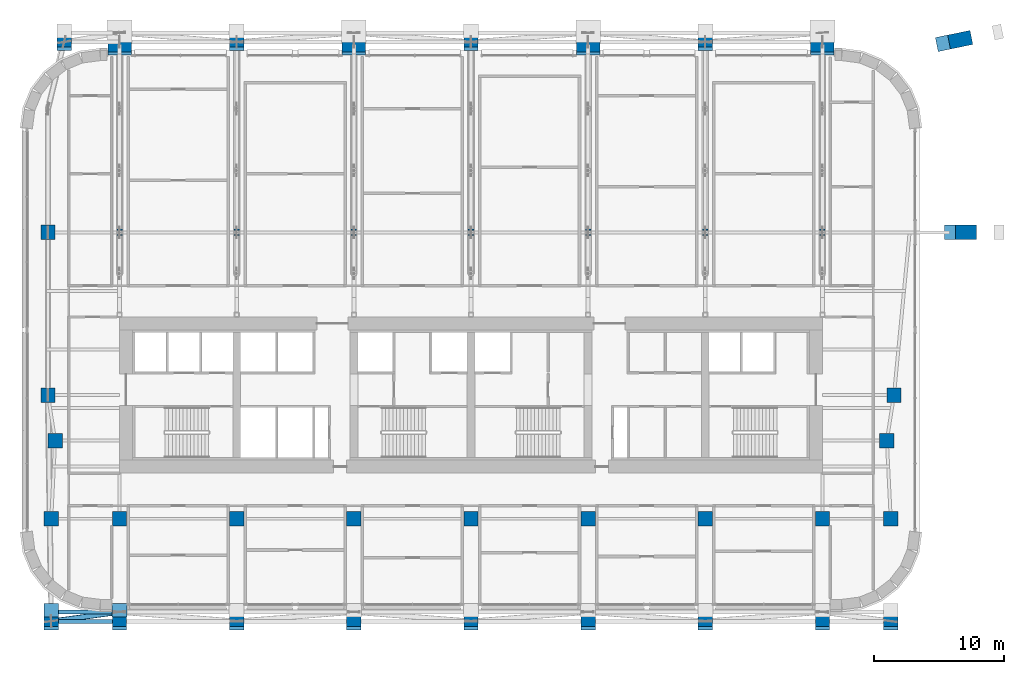
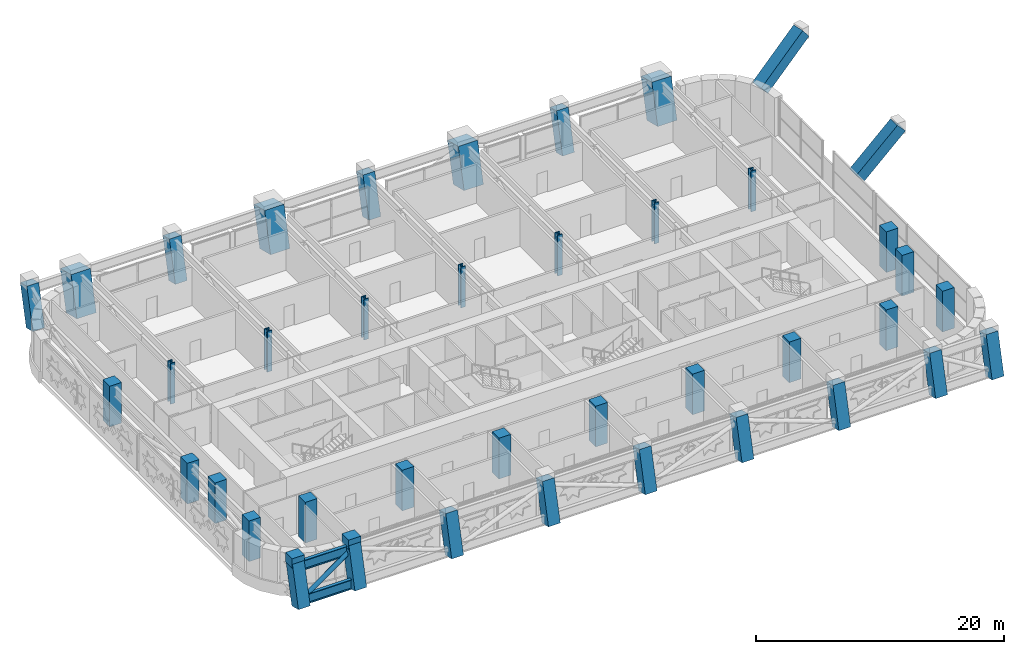
# One storey, part 1 of 27: 40 columns, 3 members, 2 beams.
"""IFC4 building model written with IfcOpenShell, lengths in metres."""

from ifc_helpers import new_model, si_unit, direction, frame, origin, origin_2d, place, context, subcontext, project, spatial, rectangle, hollow_circle, i_section, extrude, clip, halfspace, material, material_profile, profile_set, type_object, element, save


model = new_model("IFC4")

# Units and contexts
model_context = context("Model", 3, precision=1e-05, world=origin(), true_north=direction((0.0, 1.0)))
body_context = subcontext(model_context, "Body", "Model", "MODEL_VIEW")
ifc_project = project(units=[si_unit("LENGTHUNIT", "METRE"), si_unit("AREAUNIT", "SQUARE_METRE"), si_unit("VOLUMEUNIT", "CUBIC_METRE"), si_unit("PLANEANGLEUNIT", "RADIAN"), si_unit("MASSUNIT", "GRAM", prefix="KILO")], contexts=[model_context])

# Site, building, storey
site_placement = place(None, origin())
site = spatial("IfcSite", under=ifc_project, at=site_placement, CompositionType="ELEMENT")
building_placement = place(site_placement, origin())
building = spatial("IfcBuilding", under=site, at=building_placement, Name="Zellij Exchange Tower", CompositionType="ELEMENT")
storey_placement = place(building_placement, frame((0.0, 0.0, 104.5)))
storey = spatial("IfcBuildingStorey", under=building, at=storey_placement, Name="L22", CompositionType="ELEMENT", Elevation=104.5)

# Columns
ifc_material_1 = material(Name="Concrete C70/85", Category="concrete")
ifc_material_profile_1 = material_profile(ifc_material_1, rectangle(XDim=1.10009765625, YDim=1.10009765625, at=origin_2d()), Name="STR-COLUMN RC1100x1100 C70/85")
ifc_profile_set_1 = profile_set([ifc_material_profile_1], Name="Concrete C70/85")
column_type_1 = type_object("IfcColumnType", Name="STR-COLUMN RC1100x1100 C70/85", PredefinedType="COLUMN", material=ifc_profile_set_1)
for number, where, z_axis, x_axis, name in (
    (1, (-32.25, -25.5, 0.0), (0.0, 0.242535625036, 0.970142500145), (-1.0, 0.0, 0.0), "C11"),
    (2, (-27.0, -25.5, 0.0), (0.0, 0.242535625036, 0.970142500145), (-1.0, 0.0, 0.0), "C11"),
    (3, (-18.0, -25.5, 0.0), (0.0, 0.242535625036, 0.970142500145), (-1.0, 0.0, 0.0), "C11"),
    (4, (-9.0, -25.5, 0.0), (0.0, 0.242535625036, 0.970142500145), (-1.0, 0.0, 0.0), "C11"),
    (5, (0.0, -25.5, 0.0), (0.0, 0.242535625036, 0.970142500145), (-1.0, 0.0, 0.0), "C11"),
    (6, (9.0, -25.5, 0.0), (0.0, 0.242535625036, 0.970142500145), (-1.0, 0.0, 0.0), "C11"),
    (7, (18.0, -25.5, 0.0), (0.0, 0.242535625036, 0.970142500145), (-1.0, 0.0, 0.0), "C11"),
    (8, (27.0, -25.5, 0.0), (0.0, 0.242535625036, 0.970142500145), (-1.0, 0.0, 0.0), "C11"),
    (9, (32.25, -25.5, 0.0), (0.0, 0.242535625036, 0.970142500145), (-1.0, 0.0, 0.0), "C11"),
):
    element("IfcColumn", number, at=place(storey_placement, frame(where, z_axis=z_axis, x_axis=x_axis)), inside=storey, type_object=column_type_1, Name=name, PredefinedType="COLUMN", context=body_context, shape_type="Clipping", body=[
        clip(extrude(rectangle(XDim=1.10009765625, YDim=1.10009765625, at=origin_2d()), origin(), (0.0, 0.0, 1.0), 4.123046875), halfspace(frame((0.0, 0.0, 3.985595703125)), False)),
    ])
for number, where, z_axis, x_axis, name in (
    (10, (-32.25, -17.5, 0.0), (0.0, 0.0, 1.0), (1.0, 0.0, 0.0), "C11"),
    (11, (-27.0, -17.5, 0.0), (0.0, 0.0, 1.0), (1.0, 0.0, 0.0), "C11"),
    (12, (-18.0, -17.5, 0.0), (0.0, 0.0, 1.0), (1.0, 0.0, 0.0), "C11"),
    (13, (-9.0, -17.5, 0.0), (0.0, 0.0, 1.0), (1.0, 0.0, 0.0), "C11"),
    (14, (0.0, -17.5, 0.0), (0.0, 0.0, 1.0), (1.0, 0.0, 0.0), "C11"),
    (15, (9.0, -17.5, 0.0), (0.0, 0.0, 1.0), (1.0, 0.0, 0.0), "C11"),
    (16, (18.0, -17.5, 0.0), (0.0, 0.0, 1.0), (1.0, 0.0, 0.0), "C11"),
    (17, (27.0, -17.5, 0.0), (0.0, 0.0, 1.0), (1.0, 0.0, 0.0), "C11"),
    (18, (32.25, -17.5, 0.0), (0.0, 0.0, 1.0), (1.0, 0.0, 0.0), "C11"),
    (19, (-31.949951171875, -11.5, 0.0), (0.0, 0.0, 1.0), (1.0, 0.0, 0.0), "C11"),
    (20, (31.949951171875, -11.5, 0.0), (0.0, 0.0, 1.0), (1.0, 0.0, 0.0), "C11"),
    (21, (-32.5, -8.0, 0.0), (0.0, 0.0, 1.0), (1.0, 0.0, 0.0), "C11"),
    (22, (32.5, -8.0, 0.0), (0.0, 0.0, 1.0), (1.0, 0.0, 0.0), "C11"),
    (23, (-32.5, 4.5, 0.0), (0.0, 0.0, 1.0), (1.0, 0.0, 0.0), "C11"),
):
    element("IfcColumn", number, at=place(storey_placement, frame(where, z_axis=z_axis, x_axis=x_axis)), inside=storey, type_object=column_type_1, Name=name, PredefinedType="COLUMN", context=body_context, shape_type="SweptSolid", body=[
        extrude(rectangle(XDim=1.10009765625, YDim=1.10009765625, at=origin_2d()), origin(), (0.0, 0.0, 1.0), 4.0),
    ])
for number, where, z_axis, x_axis, name in (
    (24, (-31.25, 19.0, 0.0), (0.0, 0.242535625036, 0.970142500145), (-1.0, 0.0, 0.0), "C11"),
    (25, (-18.0, 19.0, 0.0), (0.0, 0.242535625036, 0.970142500145), (-1.0, 0.0, 0.0), "C11"),
    (26, (0.0, 19.0, 0.0), (0.0, 0.242535625036, 0.970142500145), (-1.0, 0.0, 0.0), "C11"),
    (27, (18.0, 19.0, 0.0), (0.0, 0.242535625036, 0.970142500145), (-1.0, 0.0, 0.0), "C11"),
):
    element("IfcColumn", number, at=place(storey_placement, frame(where, z_axis=z_axis, x_axis=x_axis)), inside=storey, type_object=column_type_1, Name=name, PredefinedType="COLUMN", context=body_context, shape_type="Clipping", body=[
        clip(extrude(rectangle(XDim=1.10009765625, YDim=1.10009765625, at=origin_2d()), origin(), (0.0, 0.0, 1.0), 4.123046875), halfspace(frame((0.0, 0.0, 3.985595703125)), False)),
    ])
ifc_material_2 = material(Name="Structural steel ASTM A913 Gr 65", Category="steel")
ifc_material_profile_2 = material_profile(ifc_material_2, i_section(OverallWidth=0.431884765625, OverallDepth=0.497802734375, WebThickness=0.0556640625, FlangeThickness=0.0888671875, at=origin_2d()), Name="W14x500")
ifc_profile_set_2 = profile_set([ifc_material_profile_2], Name="Structural steel ASTM A913 Gr 65")
column_type_2 = type_object("IfcColumnType", Name="STR-COLUMN W14x500", PredefinedType="COLUMN", material=ifc_profile_set_2)
for number, where, z_axis, x_axis, name in (
    (28, (-27.0, 4.5, 0.0), (0.0, 0.0, 1.0), (1.0, 0.0, 0.0), "C5"),
    (29, (-18.0, 4.5, 0.0), (0.0, 0.0, 1.0), (1.0, 0.0, 0.0), "C5"),
    (30, (-9.0, 4.5, 0.0), (0.0, 0.0, 1.0), (1.0, 0.0, 0.0), "C5"),
    (31, (0.0, 4.5, 0.0), (0.0, 0.0, 1.0), (1.0, 0.0, 0.0), "C5"),
    (32, (9.0, 4.5, 0.0), (0.0, 0.0, 1.0), (1.0, 0.0, 0.0), "C5"),
    (33, (18.0, 4.5, 0.0), (0.0, 0.0, 1.0), (1.0, 0.0, 0.0), "C5"),
    (34, (27.0, 4.5, 0.0), (0.0, 0.0, 1.0), (1.0, 0.0, 0.0), "C5"),
):
    element("IfcColumn", number, at=place(storey_placement, frame(where, z_axis=z_axis, x_axis=x_axis)), inside=storey, type_object=column_type_2, Name=name, PredefinedType="COLUMN", context=body_context, shape_type="SweptSolid", body=[
        extrude(i_section(OverallWidth=0.431884765625, OverallDepth=0.497802734375, WebThickness=0.0556640625, FlangeThickness=0.0888671875, at=origin_2d()), origin(), (0.0, 0.0, 1.0), 4.0),
    ])
ifc_material_profile_3 = material_profile(ifc_material_1, rectangle(XDim=1.10009765625, YDim=1.10009765625, at=origin_2d()), Name="STR-END BLOCK STRUT RC1100x1100 C70/85")
ifc_profile_set_3 = profile_set([ifc_material_profile_3], Name="Concrete C70/85")
column_type_3 = type_object("IfcColumnType", Name="STR-END BLOCK STRUT RC1100x1100 C70/85", PredefinedType="COLUMN", material=ifc_profile_set_3)
column_1_placement = place(storey_placement, frame((36.75, 4.5, 0.0), z_axis=(0.728199992693, 0.0, 0.685364699005), x_axis=(0.0, 1.0, 0.0)))
element("IfcColumn", 35, at=column_1_placement, inside=storey, type_object=column_type_3, Name="ES4", PredefinedType="COLUMN", context=body_context, shape_type="Clipping", body=[
    clip(extrude(rectangle(XDim=1.10009765625, YDim=1.10009765625, at=origin_2d()), origin(), (0.0, 0.0, 1.0), 5.83642578125), halfspace(frame((0.0, 0.0, 5.251953125)), False)),
])
column_2_placement = place(storey_placement, frame((36.125, 19.0, 0.0), z_axis=(0.76353256999, 0.156622065639, 0.626488262556), x_axis=(-0.200944143721, 0.979602700641, 0.0)))
element("IfcColumn", 36, at=column_2_placement, inside=storey, type_object=column_type_3, Name="ES4", PredefinedType="COLUMN", context=body_context, shape_type="Clipping", body=[
    clip(extrude(rectangle(XDim=1.10009765625, YDim=1.10009765625, at=origin_2d()), origin(), (0.0, 0.0, 1.0), 6.384765625), halfspace(frame((0.0, 0.0, 5.700439453125)), False)),
])
ifc_material_profile_4 = material_profile(ifc_material_1, rectangle(XDim=1.800048828125, YDim=1.800048828125, at=origin_2d()), Name="STR-MEGA COLUMN RC1800x1800 C70/85")
ifc_profile_set_4 = profile_set([ifc_material_profile_4], Name="Concrete C70/85")
column_type_4 = type_object("IfcColumnType", Name="STR-MEGA COLUMN RC1800x1800 C70/85", PredefinedType="COLUMN", material=ifc_profile_set_4)
for number, where, z_axis, x_axis, name in (
    (37, (-27.0, 19.0, 0.0), (0.0, 0.242535625036, 0.970142500145), (-1.0, 0.0, 0.0), "MC7"),
    (38, (-9.0, 19.0, 0.0), (0.0, 0.242535625036, 0.970142500145), (-1.0, 0.0, 0.0), "MC7"),
    (39, (9.0, 19.0, 0.0), (0.0, 0.242535625036, 0.970142500145), (-1.0, 0.0, 0.0), "MC7"),
    (40, (27.0, 19.0, 0.0), (0.0, 0.242535625036, 0.970142500145), (-1.0, 0.0, 0.0), "MC7"),
):
    element("IfcColumn", number, at=place(storey_placement, frame(where, z_axis=z_axis, x_axis=x_axis)), inside=storey, type_object=column_type_4, Name=name, PredefinedType="COLUMN", context=body_context, shape_type="Clipping", body=[
        clip(extrude(rectangle(XDim=1.800048828125, YDim=1.800048828125, at=origin_2d()), origin(), (0.0, 0.0, 1.0), 4.123046875), halfspace(frame((0.0, 0.0, 3.898193359375)), False)),
    ])

# Members
ifc_material_3 = material(Name="Structural steel ASTM A992 Gr 50", Category="steel")
ifc_material_profile_5 = material_profile(ifc_material_3, i_section(OverallWidth=0.307373046875, OverallDepth=0.9423828125, WebThickness=0.022216796875, FlangeThickness=0.039794921875, at=origin_2d()), Name="W36x232")
ifc_profile_set_5 = profile_set([ifc_material_profile_5], Name="Structural steel ASTM A992 Gr 50")
member_type_1 = type_object("IfcMemberType", Name="STR-BELT TRUSS CHORD W36x232", PredefinedType="CHORD", material=ifc_profile_set_5)
for number, where, z_axis, x_axis, name in (
    (41, (-32.25, -25.382080078125, 0.47119140625), (1.0, 0.0, 0.0), (0.0, 1.0, 0.0), "BT1"),
    (42, (-32.25, -24.667724609375, 3.328857421875), (1.0, 0.0, 0.0), (0.0, 1.0, 0.0), "BT1"),
):
    element("IfcMember", number, at=place(storey_placement, frame(where, z_axis=z_axis, x_axis=x_axis)), inside=storey, type_object=member_type_1, Name=name, PredefinedType="CHORD", context=body_context, shape_type="SweptSolid", body=[
        extrude(i_section(OverallWidth=0.307373046875, OverallDepth=0.9423828125, WebThickness=0.022216796875, FlangeThickness=0.039794921875, at=origin_2d()), origin(), (0.0, 0.0, 1.0), 5.25),
    ])
ifc_material_4 = material(Name="Structural steel ASTM A500 Gr C", Category="steel")
ifc_material_profile_6 = material_profile(ifc_material_4, hollow_circle(Radius=0.203125, WallThickness=0.01171875, at=origin_2d()), Name="STR-BELT TRUSS DIAGONAL HSS16.000x0.500")
ifc_profile_set_6 = profile_set([ifc_material_profile_6], Name="Structural steel ASTM A500 Gr C")
member_type_2 = type_object("IfcMemberType", Name="STR-BELT TRUSS DIAGONAL HSS16.000x0.500", PredefinedType="BRACE", material=ifc_profile_set_6)
member_placement = place(storey_placement, frame((-32.25, -25.382080078125, 0.47119140625), z_axis=(0.872109161186, 0.118665894979, 0.474704135588), x_axis=(-0.134825326017, 0.990869381636, 0.0)))
element("IfcMember", 43, at=member_placement, inside=storey, type_object=member_type_2, Name="BT2", PredefinedType="BRACE", context=body_context, shape_type="SweptSolid", body=[
    extrude(hollow_circle(Radius=0.203125, WallThickness=0.01171875, at=origin_2d()), origin(), (0.0, 0.0, 1.0), 6.019775390625),
])

# Beams
ifc_material_profile_7 = material_profile(ifc_material_1, rectangle(XDim=1.14990234375, YDim=0.949951171875, at=origin_2d()), Name="STR-KNUCKLE BLOCK RC1150x950 C70/85")
ifc_profile_set_7 = profile_set([ifc_material_profile_7], Name="Concrete C70/85")
beam_type = type_object("IfcBeamType", Name="STR-KNUCKLE BLOCK RC1150x950 C70/85", PredefinedType="BEAM", material=ifc_profile_set_7)
for number, where, z_axis, x_axis, name in (
    (44, (-32.25, -25.06689453125, 4.074951171875), (0.0, 1.0, 0.0), (-1.0, 0.0, 0.0), "KB5"),
    (45, (-27.0, -25.06689453125, 4.074951171875), (0.0, 1.0, 0.0), (-1.0, 0.0, 0.0), "KB5"),
):
    element("IfcBeam", number, at=place(storey_placement, frame(where, z_axis=z_axis, x_axis=x_axis)), inside=storey, type_object=beam_type, Name=name, PredefinedType="BEAM", context=body_context, shape_type="SweptSolid", body=[
        extrude(rectangle(XDim=1.14990234375, YDim=0.949951171875, at=origin_2d()), origin(), (0.0, 0.0, 1.0), 1.067138671875),
    ])

save(model, "model.ifc")
